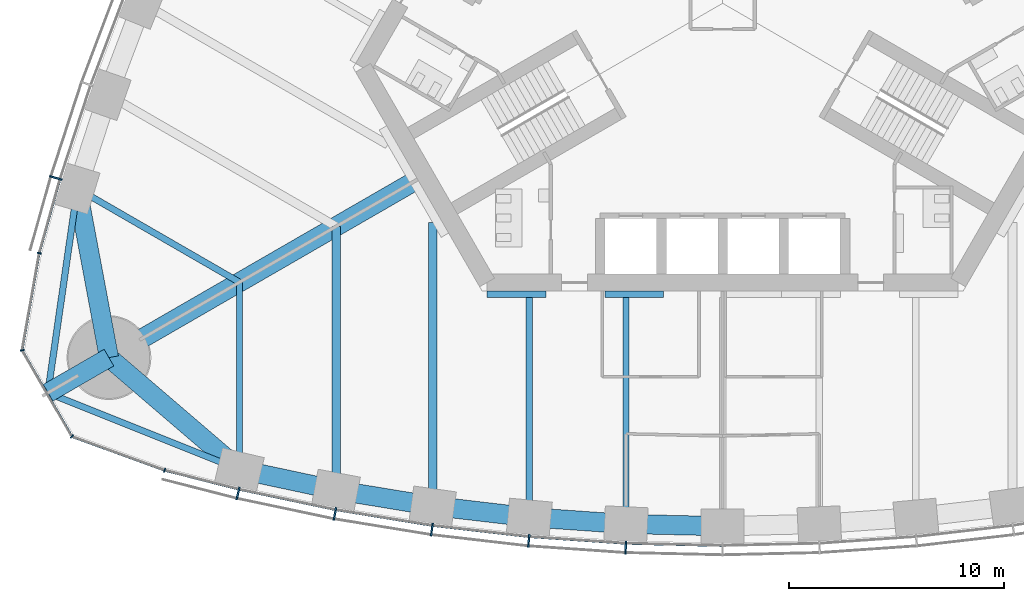
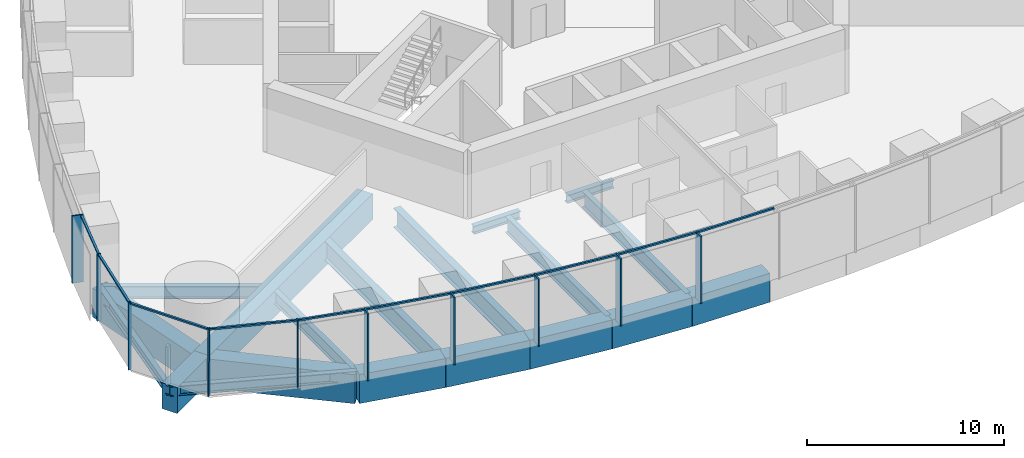
# One storey, part 2 of 18: 20 members, 19 beams, 3 elements without a shape of their own.
"""IFC4 building model written with IfcOpenShell, lengths in metres."""

from ifc_helpers import new_model, si_unit, direction, frame, origin, origin_2d, place, context, subcontext, project, spatial, rectangle, i_section, extrude, material, material_profile, profile_set, type_object, element, aggregate, save


model = new_model("IFC4")

# Units and contexts
model_context = context("Model", 3, precision=1e-05, world=origin(), true_north=direction((0.0, 1.0)))
body_context = subcontext(model_context, "Body", "Model", "MODEL_VIEW")
ifc_project = project(units=[si_unit("LENGTHUNIT", "METRE"), si_unit("AREAUNIT", "SQUARE_METRE"), si_unit("VOLUMEUNIT", "CUBIC_METRE"), si_unit("PLANEANGLEUNIT", "RADIAN"), si_unit("MASSUNIT", "GRAM", prefix="KILO")], contexts=[model_context])

# Site, building, storey
site_placement = place(None, origin())
site = spatial("IfcSite", under=ifc_project, at=site_placement, CompositionType="ELEMENT")
building_placement = place(site_placement, origin())
building = spatial("IfcBuilding", under=site, at=building_placement, Name="Trefoil Bronze Tower", CompositionType="ELEMENT")
storey_placement = place(building_placement, frame((0.0, 0.0, 202.300048828125)))
storey = spatial("IfcBuildingStorey", under=building, at=storey_placement, Name="L46", CompositionType="ELEMENT", Elevation=202.300048828125)

# Curtain wall, members
ifc_material_1 = material(Name="Tinted solar-control glass", Category="glass")
curtain_wall_type_1 = type_object("IfcCurtainWallType", Name="Bronze office curtain wall", PredefinedType="USERDEFINED", material=ifc_material_1)
curtain_wall_1_placement = place(storey_placement, origin())
curtain_wall_1 = element("IfcCurtainWall", 1, at=curtain_wall_1_placement, inside=storey, type_object=curtain_wall_type_1, Name="CW-A L46 F1", ObjectType="CURTAIN WALL", PredefinedType="USERDEFINED")
ifc_material_2 = material(Name="Bronze-finish aluminium", Category="aluminium")
ifc_material_profile_1 = material_profile(ifc_material_2, rectangle(XDim=0.60009765625, YDim=0.080078125, at=origin_2d()), Name="CW-A mullion")
ifc_profile_set_1 = profile_set([ifc_material_profile_1], Name="Bronze-finish aluminium")
member_type_1 = type_object("IfcMemberType", Name="Bronze office curtain wall mullion", PredefinedType="MULLION", material=ifc_profile_set_1)
member_1_placement = place(storey_placement, frame((-22.568115234375, -22.82421875, 0.0), z_axis=(0.0, 0.0, 1.0), x_axis=(0.227082662569, 0.973875487093, 0.0)))
member_1 = element("IfcMember", 2, at=member_1_placement, type_object=member_type_1, Name="CW-A L46 F1 mullion 2", PredefinedType="MULLION", context=body_context, shape_type="SweptSolid", body=[
    extrude(rectangle(XDim=0.60009765625, YDim=0.080078125, at=origin_2d()), origin(), (0.0, 0.0, 1.0), 4.179931640625),
])
member_2_placement = place(storey_placement, frame((-18.05517578125, -23.77783203125, 0.0), z_axis=(0.0, 0.0, 1.0), x_axis=(0.183825368167, 0.982958917767, 0.0)))
member_2 = element("IfcMember", 3, at=member_2_placement, type_object=member_type_1, Name="CW-A L46 F1 mullion 3", PredefinedType="MULLION", context=body_context, shape_type="SweptSolid", body=[
    extrude(rectangle(XDim=0.60009765625, YDim=0.080078125, at=origin_2d()), origin(), (0.0, 0.0, 1.0), 4.179931640625),
])
member_3_placement = place(storey_placement, frame((-13.541259765625, -24.51318359375, 0.0), z_axis=(0.0, 0.0, 1.0), x_axis=(0.137867887204, 0.990450627582, 0.0)))
member_3 = element("IfcMember", 4, at=member_3_placement, type_object=member_type_1, Name="CW-A L46 F1 mullion 4", PredefinedType="MULLION", context=body_context, shape_type="SweptSolid", body=[
    extrude(rectangle(XDim=0.60009765625, YDim=0.080078125, at=origin_2d()), origin(), (0.0, 0.0, 1.0), 4.179931640625),
])
member_4_placement = place(storey_placement, frame((-9.027587890625, -25.03515625, 0.0), z_axis=(0.0, 0.0, 1.0), x_axis=(0.091911396394, 0.995767189263, 0.0)))
member_4 = element("IfcMember", 5, at=member_4_placement, type_object=member_type_1, Name="CW-A L46 F1 mullion 5", PredefinedType="MULLION", context=body_context, shape_type="SweptSolid", body=[
    extrude(rectangle(XDim=0.60009765625, YDim=0.080078125, at=origin_2d()), origin(), (0.0, 0.0, 1.0), 4.179931640625),
])
member_5_placement = place(storey_placement, frame((-4.513671875, -25.346923828125, 0.0), z_axis=(0.0, 0.0, 1.0), x_axis=(0.045955542372, 0.998943485952, 0.0)))
member_5 = element("IfcMember", 6, at=member_5_placement, type_object=member_type_1, Name="CW-A L46 F1 mullion 6", PredefinedType="MULLION", context=body_context, shape_type="SweptSolid", body=[
    extrude(rectangle(XDim=0.60009765625, YDim=0.080078125, at=origin_2d()), origin(), (0.0, 0.0, 1.0), 4.179931640625),
])

# Curtain wall, member
curtain_wall_2_placement = place(storey_placement, origin())
curtain_wall_2 = element("IfcCurtainWall", 7, at=curtain_wall_2_placement, inside=storey, type_object=curtain_wall_type_1, Name="CW-A L46 F3", ObjectType="CURTAIN WALL", PredefinedType="USERDEFINED")
member_6_placement = place(storey_placement, frame((-31.05029296875, -8.132568359375, 0.0), z_axis=(0.0, 0.0, 1.0), x_axis=(0.95694224323, -0.290278389002, 0.0)))
member_6 = element("IfcMember", 8, at=member_6_placement, type_object=member_type_1, Name="CW-A L46 F3 mullion 12", PredefinedType="MULLION", context=body_context, shape_type="SweptSolid", body=[
    extrude(rectangle(XDim=0.60009765625, YDim=0.080078125, at=origin_2d()), origin(), (0.0, 0.0, 1.0), 4.179931640625),
])

# Member
ifc_material_3 = material(Name="Bronze-finish aluminium", Category="aluminium")
ifc_material_profile_2 = material_profile(ifc_material_3, rectangle(XDim=0.1201171875, YDim=0.10009765625, at=origin_2d()), Name="CW-A transom")
ifc_profile_set_2 = profile_set([ifc_material_profile_2], Name="Bronze-finish aluminium")
member_type_2 = type_object("IfcMemberType", Name="Bronze office curtain wall transom", PredefinedType="USERDEFINED", material=ifc_profile_set_2)
member_7_placement = place(storey_placement, frame((-25.93896484375, -21.75732421875, 4.1298828125), z_axis=(0.968935220916, -0.247314653162, 0.0), x_axis=(0.247314653162, 0.968935220916, 0.0)))
member_7 = element("IfcMember", 9, at=member_7_placement, type_object=member_type_2, Name="CW-A L46 F1 transom 1", ObjectType="TRANSOM", PredefinedType="USERDEFINED", context=body_context, shape_type="SweptSolid", body=[
    extrude(rectangle(XDim=0.1201171875, YDim=0.10009765625, at=origin_2d()), origin(), (0.0, 0.0, 1.0), 3.483642578125),
])

member_8_placement = place(storey_placement, frame((-22.4814453125, -22.63818359375, 4.1298828125), z_axis=(0.978395325657, -0.20674280334, 0.0), x_axis=(0.20674280334, 0.978395325657, 0.0)))
member_8 = element("IfcMember", 10, at=member_8_placement, type_object=member_type_2, Name="CW-A L46 F1 transom 2", ObjectType="TRANSOM", PredefinedType="USERDEFINED", context=body_context, shape_type="SweptSolid", body=[
    extrude(rectangle(XDim=0.1201171875, YDim=0.10009765625, at=origin_2d()), origin(), (0.0, 0.0, 1.0), 4.519287109375),
])

member_9_placement = place(storey_placement, frame((-17.9765625, -23.588134765625, 4.1298828125), z_axis=(0.986988367046, -0.160791676761, 0.0), x_axis=(0.160791676761, 0.986988367046, 0.0)))
member_9 = element("IfcMember", 11, at=member_9_placement, type_object=member_type_2, Name="CW-A L46 F1 transom 3", ObjectType="TRANSOM", PredefinedType="USERDEFINED", context=body_context, shape_type="SweptSolid", body=[
    extrude(rectangle(XDim=0.1201171875, YDim=0.10009765625, at=origin_2d()), origin(), (0.0, 0.0, 1.0), 4.479248046875),
])

member_10_placement = place(storey_placement, frame((-13.4716796875, -24.320068359375, 4.1298828125), z_axis=(0.993384885596, -0.114832352013, 0.0), x_axis=(0.114832352013, 0.993384885596, 0.0)))
member_10 = element("IfcMember", 12, at=member_10_placement, type_object=member_type_2, Name="CW-A L46 F1 transom 4", ObjectType="TRANSOM", PredefinedType="USERDEFINED", context=body_context, shape_type="SweptSolid", body=[
    extrude(rectangle(XDim=0.1201171875, YDim=0.10009765625, at=origin_2d()), origin(), (0.0, 0.0, 1.0), 4.449951171875),
])

member_11_placement = place(storey_placement, frame((-8.967041015625, -24.8388671875, 4.1298828125), z_axis=(0.997621320987, -0.06893257512, 0.0), x_axis=(0.06893257512, 0.997621320987, 0.0)))
member_11 = element("IfcMember", 13, at=member_11_placement, type_object=member_type_2, Name="CW-A L46 F1 transom 5", ObjectType="TRANSOM", PredefinedType="USERDEFINED", context=body_context, shape_type="SweptSolid", body=[
    extrude(rectangle(XDim=0.1201171875, YDim=0.10009765625, at=origin_2d()), origin(), (0.0, 0.0, 1.0), 4.4306640625),
])

member_12_placement = place(storey_placement, frame((-4.46240234375, -25.148193359375, 4.1298828125), z_axis=(0.999736131416, -0.022971015226, 0.0), x_axis=(0.022971015226, 0.999736131416, 0.0)))
member_12 = element("IfcMember", 14, at=member_12_placement, type_object=member_type_2, Name="CW-A L46 F1 transom 6", ObjectType="TRANSOM", PredefinedType="USERDEFINED", context=body_context, shape_type="SweptSolid", body=[
    extrude(rectangle(XDim=0.1201171875, YDim=0.10009765625, at=origin_2d()), origin(), (0.0, 0.0, 1.0), 4.42138671875),
])

aggregate(curtain_wall_1, [member_1, member_2, member_3, member_4, member_5, member_7, member_8, member_9, member_10, member_11, member_12])

member_13_placement = place(storey_placement, frame((-30.870361328125, -8.23095703125, 4.1298828125), z_axis=(-0.270284880437, -0.962780392097, 0.0), x_axis=(0.962780392097, -0.270284880437, 0.0)))
member_13 = element("IfcMember", 15, at=member_13_placement, type_object=member_type_2, Name="CW-A L46 F3 transom 12", ObjectType="TRANSOM", PredefinedType="USERDEFINED", context=body_context, shape_type="SweptSolid", body=[
    extrude(rectangle(XDim=0.1201171875, YDim=0.10009765625, at=origin_2d()), origin(), (0.0, 0.0, 1.0), 3.48388671875),
])

aggregate(curtain_wall_2, [member_6, member_13])

# Curtain wall, members
ifc_material_4 = material(Name="Tinted solar-control glass", Category="glass")
curtain_wall_type_2 = type_object("IfcCurtainWallType", Name="Bronze rounded corner curtain wall", PredefinedType="USERDEFINED", material=ifc_material_4)
curtain_wall_3_placement = place(storey_placement, origin())
curtain_wall_3 = element("IfcCurtainWall", 16, at=curtain_wall_3_placement, inside=storey, type_object=curtain_wall_type_2, Name="CW-B L46 K3", ObjectType="CURTAIN WALL", PredefinedType="USERDEFINED")
ifc_material_5 = material(Name="Bronze-finish aluminium", Category="aluminium")
ifc_material_profile_3 = material_profile(ifc_material_5, rectangle(XDim=0.199951171875, YDim=0.06005859375, at=origin_2d()), Name="CW-B mullion")
ifc_profile_set_3 = profile_set([ifc_material_profile_3], Name="Bronze-finish aluminium")
member_type_3 = type_object("IfcMemberType", Name="Bronze rounded corner curtain wall mullion", PredefinedType="MULLION", material=ifc_profile_set_3)
member_14_placement = place(storey_placement, frame((-31.824951171875, -11.63330078125, 0.0), z_axis=(0.0, 0.0, 1.0), x_axis=(0.984807753012, -0.173648177667, 0.0)))
member_14 = element("IfcMember", 17, at=member_14_placement, type_object=member_type_3, Name="CW-B L46 K3 mullion 1", PredefinedType="MULLION", context=body_context, shape_type="SweptSolid", body=[
    extrude(rectangle(XDim=0.199951171875, YDim=0.06005859375, at=origin_2d()), origin(), (0.0, 0.0, 1.0), 4.179931640625),
])
member_15_placement = place(storey_placement, frame((-32.616943359375, -16.158935546875, 0.0), z_axis=(0.0, 0.0, 1.0), x_axis=(0.984807753012, 0.173648177667, 0.0)))
member_15 = element("IfcMember", 18, at=member_15_placement, type_object=member_type_3, Name="CW-B L46 K3 mullion 2", PredefinedType="MULLION", context=body_context, shape_type="SweptSolid", body=[
    extrude(rectangle(XDim=0.199951171875, YDim=0.06005859375, at=origin_2d()), origin(), (0.0, 0.0, 1.0), 4.179931640625),
])
member_16_placement = place(storey_placement, frame((-30.302490234375, -20.16748046875, 0.0), z_axis=(0.0, 0.0, 1.0), x_axis=(0.642787609687, 0.766044443119, 0.0)))
member_16 = element("IfcMember", 19, at=member_16_placement, type_object=member_type_3, Name="CW-B L46 K3 mullion 3", PredefinedType="MULLION", context=body_context, shape_type="SweptSolid", body=[
    extrude(rectangle(XDim=0.199951171875, YDim=0.06005859375, at=origin_2d()), origin(), (0.0, 0.0, 1.0), 4.179931640625),
])
member_17_placement = place(storey_placement, frame((-25.9873046875, -21.74462890625, 0.0), z_axis=(0.0, 0.0, 1.0), x_axis=(0.342020143326, 0.939692620786, 0.0)))
member_17 = element("IfcMember", 20, at=member_17_placement, type_object=member_type_3, Name="CW-B L46 K3 mullion 4", PredefinedType="MULLION", context=body_context, shape_type="SweptSolid", body=[
    extrude(rectangle(XDim=0.199951171875, YDim=0.06005859375, at=origin_2d()), origin(), (0.0, 0.0, 1.0), 4.179931640625),
])
ifc_material_6 = material(Name="Bronze-finish aluminium", Category="aluminium")
ifc_material_profile_4 = material_profile(ifc_material_6, rectangle(XDim=0.1201171875, YDim=0.10009765625, at=origin_2d()), Name="CW-B transom")
ifc_profile_set_4 = profile_set([ifc_material_profile_4], Name="Bronze-finish aluminium")
member_type_4 = type_object("IfcMemberType", Name="Bronze rounded corner curtain wall transom", PredefinedType="USERDEFINED", material=ifc_profile_set_4)
member_18_placement = place(storey_placement, frame((-31.830078125, -11.662841796875, 4.1298828125), z_axis=(-0.173655350028, -0.984806488304, 0.0), x_axis=(0.984806488304, -0.173655350028, 0.0)))
member_18 = element("IfcMember", 21, at=member_18_placement, type_object=member_type_4, Name="CW-B L46 K3 transom 1", ObjectType="TRANSOM", PredefinedType="USERDEFINED", context=body_context, shape_type="SweptSolid", body=[
    extrude(rectangle(XDim=0.1201171875, YDim=0.10009765625, at=origin_2d()), origin(), (0.0, 0.0, 1.0), 4.500244140625),
])
member_19_placement = place(storey_placement, frame((-32.590087890625, -16.217529296875, 4.1298828125), z_axis=(0.500007335828, -0.866021168401, 0.0), x_axis=(0.866021168401, 0.500007335828, 0.0)))
member_19 = element("IfcMember", 22, at=member_19_placement, type_object=member_type_4, Name="CW-B L46 K3 transom 2", ObjectType="TRANSOM", PredefinedType="USERDEFINED", context=body_context, shape_type="SweptSolid", body=[
    extrude(rectangle(XDim=0.1201171875, YDim=0.10009765625, at=origin_2d()), origin(), (0.0, 0.0, 1.0), 4.50048828125),
])
member_20_placement = place(storey_placement, frame((-30.244140625, -20.195068359375, 4.1298828125), z_axis=(0.939680910753, -0.342052314664, 0.0), x_axis=(0.342052314664, 0.939680910753, 0.0)))
member_20 = element("IfcMember", 23, at=member_20_placement, type_object=member_type_4, Name="CW-B L46 K3 transom 3", ObjectType="TRANSOM", PredefinedType="USERDEFINED", context=body_context, shape_type="SweptSolid", body=[
    extrude(rectangle(XDim=0.1201171875, YDim=0.10009765625, at=origin_2d()), origin(), (0.0, 0.0, 1.0), 4.500244140625),
])
aggregate(curtain_wall_3, [member_14, member_15, member_16, member_17, member_18, member_19, member_20])

# Beams
ifc_material_7 = material(Name="Steel C355", Category="steel")
ifc_material_profile_5 = material_profile(ifc_material_7, i_section(OverallWidth=0.300048828125, OverallDepth=0.5, WebThickness=0.014404296875, FlangeThickness=0.028076171875, FilletRadius=0.027099609375, at=origin_2d()), Name="HEB 500")
ifc_profile_set_5 = profile_set([ifc_material_profile_5], Name="Steel C355")
beam_type_1 = type_object("IfcBeamType", Name="Core seat beam HEB 500", PredefinedType="BEAM", material=ifc_profile_set_5)
for number, where, z_axis, x_axis, name in (
    (24, (-10.9697265625, -13.550048828125, -0.449951171875), (1.0, 0.0, 0.0), (0.0, 1.0, 0.0), "Core seat beam F1/-2 L46"),
    (25, (-5.48486328125, -13.550048828125, -0.449951171875), (1.0, 0.0, 0.0), (0.0, 1.0, 0.0), "Core seat beam F1/-1 L46"),
):
    element("IfcBeam", number, at=place(storey_placement, frame(where, z_axis=z_axis, x_axis=x_axis)), inside=storey, type_object=beam_type_1, Name=name, PredefinedType="BEAM", context=body_context, shape_type="SweptSolid", body=[
        extrude(i_section(OverallWidth=0.300048828125, OverallDepth=0.5, WebThickness=0.014404296875, FlangeThickness=0.028076171875, FilletRadius=0.027099609375, at=origin_2d()), origin(), (0.0, 0.0, 1.0), 2.742431640625),
    ])
ifc_material_8 = material(Name="Concrete B80", Category="concrete")
ifc_material_profile_6 = material_profile(ifc_material_8, rectangle(XDim=0.89990234375, YDim=1.60009765625, at=origin_2d()), Name="RC 900x1600")
ifc_profile_set_6 = profile_set([ifc_material_profile_6], Name="Concrete B80")
beam_type_2 = type_object("IfcBeamType", Name="Corner cantilever RC 900x1600", PredefinedType="BEAM", material=ifc_profile_set_6)
beam_1_placement = place(storey_placement, frame((-28.578857421875, -16.5, -1.0), z_axis=(-0.866016004958, -0.500016278891, 0.0), x_axis=(0.500016278891, -0.866016004958, 0.0)))
element("IfcBeam", 26, at=beam_1_placement, inside=storey, type_object=beam_type_2, Name="Corner cantilever K3 L46", PredefinedType="BEAM", context=body_context, shape_type="SweptSolid", body=[
    extrude(rectangle(XDim=0.89990234375, YDim=1.60009765625, at=origin_2d()), origin(), (0.0, 0.0, 1.0), 3.28466796875),
])
ifc_material_9 = material(Name="Steel C355", Category="steel")
ifc_material_profile_7 = material_profile(ifc_material_9, i_section(OverallWidth=0.300048828125, OverallDepth=0.60009765625, WebThickness=0.015380859375, FlangeThickness=0.030029296875, FilletRadius=0.027099609375, at=origin_2d()), Name="HEB 600")
ifc_profile_set_7 = profile_set([ifc_material_profile_7], Name="Steel C355")
beam_type_3 = type_object("IfcBeamType", Name="Corner edge beam HEB 600", PredefinedType="BEAM", material=ifc_profile_set_7)
for number, where, z_axis, x_axis, name in (
    (27, (-22.5, -21.71044921875, -0.5), (-0.92852048463, 0.371281173266, 0.0), (-0.371281173266, -0.92852048463, 0.0), "Corner edge beam F1B L46"),
    (28, (-30.052001953125, -8.63037109375, -0.5), (-0.142694489722, -0.989766781925, 0.0), (0.989766781925, -0.142694489722, 0.0), "Corner edge beam F3A L46"),
):
    element("IfcBeam", number, at=place(storey_placement, frame(where, z_axis=z_axis, x_axis=x_axis)), inside=storey, type_object=beam_type_3, Name=name, PredefinedType="BEAM", context=body_context, shape_type="SweptSolid", body=[
        extrude(i_section(OverallWidth=0.300048828125, OverallDepth=0.60009765625, WebThickness=0.015380859375, FlangeThickness=0.030029296875, FilletRadius=0.027099609375, at=origin_2d()), origin(), (0.0, 0.0, 1.0), 9.6103515625),
    ])
ifc_material_10 = material(Name="Concrete B80", Category="concrete")
ifc_material_profile_8 = material_profile(ifc_material_10, rectangle(XDim=0.89990234375, YDim=1.60009765625, at=origin_2d()), Name="RC 900x1600")
ifc_profile_set_8 = profile_set([ifc_material_profile_8], Name="Concrete B80")
beam_type_4 = type_object("IfcBeamType", Name="Corner girder RC 900x1600", PredefinedType="BEAM", material=ifc_profile_set_8)
beam_2_placement = place(storey_placement, frame((-14.202880859375, -8.199951171875, -1.0), z_axis=(-0.866023450265, -0.500003383579, 0.0), x_axis=(0.500003383579, -0.866023450265, 0.0)))
element("IfcBeam", 29, at=beam_2_placement, inside=storey, type_object=beam_type_4, Name="Corner girder K3 L46", PredefinedType="BEAM", context=body_context, shape_type="SweptSolid", body=[
    extrude(rectangle(XDim=0.89990234375, YDim=1.60009765625, at=origin_2d()), origin(), (0.0, 0.0, 1.0), 16.60009765625),
])
ifc_material_11 = material(Name="Concrete B80", Category="concrete")
ifc_material_profile_9 = material_profile(ifc_material_11, rectangle(XDim=0.89990234375, YDim=1.800048828125, at=origin_2d()), Name="RC 900x1800")
ifc_profile_set_9 = profile_set([ifc_material_profile_9], Name="Concrete B80")
beam_type_5 = type_object("IfcBeamType", Name="End spandrel beam RC 900x1800", PredefinedType="SPANDREL", material=ifc_profile_set_9)
for number, where, z_axis, x_axis, name in (
    (30, (-28.578857421875, -16.5, -1.10009765625), (0.759256602365, -0.650791373456, 0.0), (0.650791373456, 0.759256602365, 0.0), "Spandrel F1.1 L46"),
    (31, (-30.052001953125, -8.63037109375, -1.10009765625), (0.18399763073, -0.982926686933, 0.0), (0.982926686933, 0.18399763073, 0.0), "Spandrel F3.12 L46"),
):
    element("IfcBeam", number, at=place(storey_placement, frame(where, z_axis=z_axis, x_axis=x_axis)), inside=storey, type_object=beam_type_5, Name=name, PredefinedType="SPANDREL", context=body_context, shape_type="SweptSolid", body=[
        extrude(rectangle(XDim=0.89990234375, YDim=1.800048828125, at=origin_2d()), origin(), (0.0, 0.0, 1.0), 8.00634765625),
    ])
ifc_material_12 = material(Name="Steel C355", Category="steel")
ifc_material_profile_10 = material_profile(ifc_material_12, i_section(OverallWidth=0.300048828125, OverallDepth=1.0, WebThickness=0.01904296875, FlangeThickness=0.035888671875, FilletRadius=0.030029296875, at=origin_2d()), Name="HEB 1000")
ifc_profile_set_10 = profile_set([ifc_material_profile_10], Name="Steel C355")
beam_type_6 = type_object("IfcBeamType", Name="Floor beam HEB 1000", PredefinedType="BEAM", material=ifc_profile_set_10)
beam_3_placement = place(storey_placement, frame((-9.0, -23.932861328125, -0.699951171875), z_axis=(0.0, 1.0, 0.0), x_axis=(-1.0, 0.0, 0.0)))
element("IfcBeam", 32, at=beam_3_placement, inside=storey, type_object=beam_type_6, Name="Floor beam F1/-2 L46", PredefinedType="BEAM", context=body_context, shape_type="SweptSolid", body=[
    extrude(i_section(OverallWidth=0.300048828125, OverallDepth=1.0, WebThickness=0.01904296875, FlangeThickness=0.035888671875, FilletRadius=0.030029296875, at=origin_2d()), origin(), (0.0, 0.0, 1.0), 10.23291015625),
])
beam_4_placement = place(storey_placement, frame((-4.5, -24.246337890625, -0.699951171875), z_axis=(0.0, 1.0, 0.0), x_axis=(-1.0, 0.0, 0.0)))
element("IfcBeam", 33, at=beam_4_placement, inside=storey, type_object=beam_type_6, Name="Floor beam F1/-1 L46", PredefinedType="BEAM", context=body_context, shape_type="SweptSolid", body=[
    extrude(i_section(OverallWidth=0.300048828125, OverallDepth=1.0, WebThickness=0.01904296875, FlangeThickness=0.035888671875, FilletRadius=0.030029296875, at=origin_2d()), origin(), (0.0, 0.0, 1.0), 10.54638671875),
])
ifc_material_13 = material(Name="Steel C355", Category="steel")
ifc_material_profile_11 = material_profile(ifc_material_13, i_section(OverallWidth=0.300048828125, OverallDepth=0.800048828125, WebThickness=0.017578125, FlangeThickness=0.032958984375, FilletRadius=0.030029296875, at=origin_2d()), Name="HEB 800")
ifc_profile_set_11 = profile_set([ifc_material_profile_11], Name="Steel C355")
beam_type_7 = type_object("IfcBeamType", Name="Floor beam HEB 800", PredefinedType="BEAM", material=ifc_profile_set_11)
beam_5_placement = place(storey_placement, frame((-22.5, -21.71044921875, -0.60009765625), z_axis=(0.0, 1.0, 0.0), x_axis=(-1.0, 0.0, 0.0)))
element("IfcBeam", 34, at=beam_5_placement, inside=storey, type_object=beam_type_7, Name="Floor beam F1/-5 L46", PredefinedType="BEAM", context=body_context, shape_type="SweptSolid", body=[
    extrude(i_section(OverallWidth=0.300048828125, OverallDepth=0.800048828125, WebThickness=0.017578125, FlangeThickness=0.032958984375, FilletRadius=0.030029296875, at=origin_2d()), origin(), (0.0, 0.0, 1.0), 8.719970703125),
])
beam_6_placement = place(storey_placement, frame((-30.052001953125, -8.63037109375, -0.60009765625), z_axis=(0.866027535932, -0.499996306993, 0.0), x_axis=(0.499996306993, 0.866027535932, 0.0)))
element("IfcBeam", 35, at=beam_6_placement, inside=storey, type_object=beam_type_7, Name="Floor beam F3/+5 L46", PredefinedType="BEAM", context=body_context, shape_type="SweptSolid", body=[
    extrude(i_section(OverallWidth=0.300048828125, OverallDepth=0.800048828125, WebThickness=0.017578125, FlangeThickness=0.032958984375, FilletRadius=0.030029296875, at=origin_2d()), origin(), (0.0, 0.0, 1.0), 8.72021484375),
])
ifc_material_14 = material(Name="Steel C355", Category="steel")
ifc_material_profile_12 = material_profile(ifc_material_14, i_section(OverallWidth=0.39990234375, OverallDepth=1.199951171875, WebThickness=0.02001953125, FlangeThickness=0.0400390625, FilletRadius=0.010009765625, at=origin_2d()), Name="WPG 1200")
ifc_profile_set_12 = profile_set([ifc_material_profile_12], Name="Steel C355")
beam_type_8 = type_object("IfcBeamType", Name="Floor beam WPG 1200", PredefinedType="BEAM", material=ifc_profile_set_12)
beam_7_placement = place(storey_placement, frame((-18.0, -22.6689453125, -0.800048828125), z_axis=(0.0, 1.0, 0.0), x_axis=(-1.0, 0.0, 0.0)))
element("IfcBeam", 36, at=beam_7_placement, inside=storey, type_object=beam_type_8, Name="Floor beam F1/-4 L46", PredefinedType="BEAM", context=body_context, shape_type="SweptSolid", body=[
    extrude(i_section(OverallWidth=0.39990234375, OverallDepth=1.199951171875, WebThickness=0.02001953125, FlangeThickness=0.0400390625, FilletRadius=0.010009765625, at=origin_2d()), origin(), (0.0, 0.0, 1.0), 12.276611328125),
])
beam_8_placement = place(storey_placement, frame((-13.5, -23.408447265625, -0.800048828125), z_axis=(0.0, 1.0, 0.0), x_axis=(-1.0, 0.0, 0.0)))
element("IfcBeam", 37, at=beam_8_placement, inside=storey, type_object=beam_type_8, Name="Floor beam F1/-3 L46", PredefinedType="BEAM", context=body_context, shape_type="SweptSolid", body=[
    extrude(i_section(OverallWidth=0.39990234375, OverallDepth=1.199951171875, WebThickness=0.02001953125, FlangeThickness=0.0400390625, FilletRadius=0.010009765625, at=origin_2d()), origin(), (0.0, 0.0, 1.0), 13.191162109375),
])
ifc_material_15 = material(Name="Concrete B80", Category="concrete")
ifc_material_profile_13 = material_profile(ifc_material_15, rectangle(XDim=0.89990234375, YDim=1.800048828125, at=origin_2d()), Name="RC 900x1800")
ifc_profile_set_13 = profile_set([ifc_material_profile_13], Name="Concrete B80")
beam_type_9 = type_object("IfcBeamType", Name="Spandrel beam RC 900x1800", PredefinedType="SPANDREL", material=ifc_profile_set_13)
beam_9_placement = place(storey_placement, frame((-22.5, -21.71044921875, -1.10009765625), z_axis=(0.978059483036, -0.208325820877, 0.0), x_axis=(0.208325820877, 0.978059483036, 0.0)))
element("IfcBeam", 38, at=beam_9_placement, inside=storey, type_object=beam_type_9, Name="Spandrel F1.2 L46", PredefinedType="SPANDREL", context=body_context, shape_type="SweptSolid", body=[
    extrude(rectangle(XDim=0.89990234375, YDim=1.800048828125, at=origin_2d()), origin(), (0.0, 0.0, 1.0), 4.600830078125),
])
beam_10_placement = place(storey_placement, frame((-18.0, -22.6689453125, -1.10009765625), z_axis=(0.986764681833, -0.162158757664, 0.0), x_axis=(0.162158757664, 0.986764681833, 0.0)))
element("IfcBeam", 39, at=beam_10_placement, inside=storey, type_object=beam_type_9, Name="Spandrel F1.3 L46", PredefinedType="SPANDREL", context=body_context, shape_type="SweptSolid", body=[
    extrude(rectangle(XDim=0.89990234375, YDim=1.800048828125, at=origin_2d()), origin(), (0.0, 0.0, 1.0), 4.560302734375),
])
beam_11_placement = place(storey_placement, frame((-13.5, -23.408447265625, -1.10009765625), z_axis=(0.993278017132, -0.115753102257, 0.0), x_axis=(0.115753102257, 0.993278017132, 0.0)))
element("IfcBeam", 40, at=beam_11_placement, inside=storey, type_object=beam_type_9, Name="Spandrel F1.4 L46", PredefinedType="SPANDREL", context=body_context, shape_type="SweptSolid", body=[
    extrude(rectangle(XDim=0.89990234375, YDim=1.800048828125, at=origin_2d()), origin(), (0.0, 0.0, 1.0), 4.530517578125),
])
beam_12_placement = place(storey_placement, frame((-9.0, -23.932861328125, -1.10009765625), z_axis=(0.997582435881, -0.069493047291, 0.0), x_axis=(0.069493047291, 0.997582435881, 0.0)))
element("IfcBeam", 41, at=beam_12_placement, inside=storey, type_object=beam_type_9, Name="Spandrel F1.5 L46", PredefinedType="SPANDREL", context=body_context, shape_type="SweptSolid", body=[
    extrude(rectangle(XDim=0.89990234375, YDim=1.800048828125, at=origin_2d()), origin(), (0.0, 0.0, 1.0), 4.510986328125),
])
beam_13_placement = place(storey_placement, frame((-4.5, -24.246337890625, -1.10009765625), z_axis=(0.999731770792, -0.023160018779, 0.0), x_axis=(0.023160018779, 0.999731770792, 0.0)))
element("IfcBeam", 42, at=beam_13_placement, inside=storey, type_object=beam_type_9, Name="Spandrel F1.6 L46", PredefinedType="SPANDREL", context=body_context, shape_type="SweptSolid", body=[
    extrude(rectangle(XDim=0.89990234375, YDim=1.800048828125, at=origin_2d()), origin(), (0.0, 0.0, 1.0), 4.501220703125),
])

save(model, "model.ifc")
